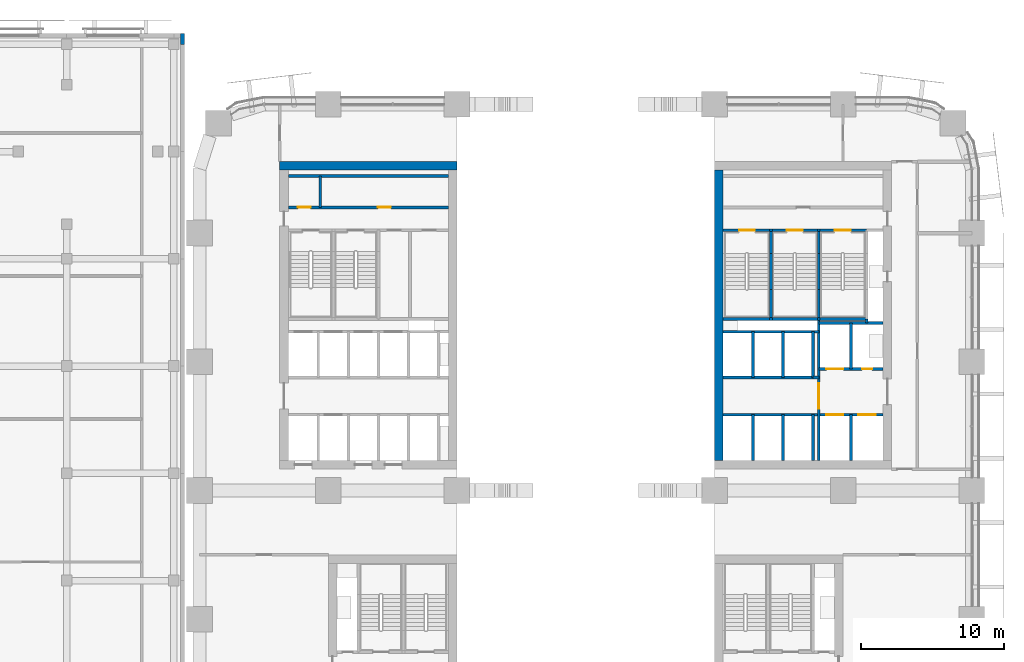
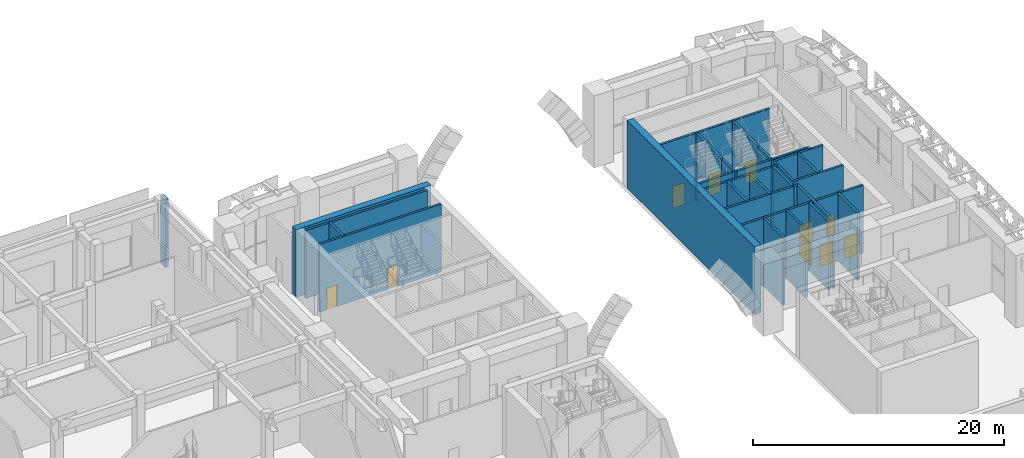
# One storey, part 22 of 42: 38 walls, 10 doors, 10 openings.
"""IFC4 building model written with IfcOpenShell, lengths in metres."""

import ifcopenshell
import ifcopenshell.guid

model = None  # the IFC model being written
_history = None  # IfcOwnerHistory: only IFC2X3 demands one
_inside = {}  # id of a spatial element -> (the spatial element, [elements in it])
_under = {}  # id of a project, library or spatial element -> (it, [spatial elements below it])
_declared = {}  # id of a project -> (the project, [libraries it declares])
_typed = {}  # id of a type object -> (the type object, [elements of that type])
_made_of = {}  # id of a material, layer set ... -> (it, [elements and type objects made of it])


def new_model(schema):
    """Start an empty IFC model of exactly this schema.

    Asked for "IFC4X3", IfcOpenShell would pick the latest addendum, in which some entities
    have other attributes; the version numbers below select the first issue.
    IFC2X3 requires an IfcOwnerHistory on every rooted entity: one is made here for all.
    """
    global model, _history
    if schema == "IFC4X3":
        model = ifcopenshell.file(schema_version=(4, 3, 0, 0))
    else:
        model = ifcopenshell.file(schema=schema)
    _inside.clear()
    _under.clear()
    _declared.clear()
    _typed.clear()
    _made_of.clear()
    _history = None
    if model.schema == "IFC2X3":
        org = make("IfcOrganization", Name="unknown")
        user = make(
            "IfcPersonAndOrganization",
            ThePerson=make("IfcPerson", FamilyName="unknown"),
            TheOrganization=org,
        )
        app = make(
            "IfcApplication",
            ApplicationDeveloper=org,
            Version="unknown",
            ApplicationFullName="unknown",
            ApplicationIdentifier="unknown",
        )
        _history = make(
            "IfcOwnerHistory",
            OwningUser=user,
            OwningApplication=app,
            ChangeAction="ADDED",
            CreationDate=0,
        )
    return model


def make(cls, **values):
    """One entity of the class cls with the attributes given. An attribute that is None is left unset."""
    return model.create_entity(
        cls, **{name: value for name, value in values.items() if value is not None}
    )


def rooted(cls, **values):
    """An entity with a GlobalId (a new one), such as an element, a storey or a relation."""
    return make(cls, GlobalId=ifcopenshell.guid.new(), OwnerHistory=_history, **values)


def si_unit(unit_type, name, prefix=None):
    """IfcSIUnit, for example si_unit("LENGTHUNIT", "METRE", prefix="MILLI")."""
    return make("IfcSIUnit", UnitType=unit_type, Prefix=prefix, Name=name)


def assignment(units):
    """IfcUnitAssignment: the units of a project."""
    return None if units is None else make("IfcUnitAssignment", Units=units)


def point(xyz):
    """IfcCartesianPoint."""
    return None if xyz is None else make("IfcCartesianPoint", Coordinates=xyz)


def direction(xyz):
    """IfcDirection."""
    return None if xyz is None else make("IfcDirection", DirectionRatios=xyz)


def frame(location, z_axis=None, x_axis=None):
    """IfcAxis2Placement3D, a coordinate frame: its origin and axes. An axis left out is left unset."""
    return make(
        "IfcAxis2Placement3D",
        Location=point(location),
        Axis=direction(z_axis),
        RefDirection=direction(x_axis),
    )


def frame_2d(location, x_axis=None):
    """IfcAxis2Placement2D, a coordinate frame in the plane: its origin and x axis."""
    return make(
        "IfcAxis2Placement2D", Location=point(location), RefDirection=direction(x_axis)
    )


def origin():
    """The frame at (0, 0, 0) with its axes left unset."""
    return frame((0.0, 0.0, 0.0))


def place(relative_to, where):
    """IfcLocalPlacement: puts the frame where relative to a parent placement (None: the world)."""
    return make(
        "IfcLocalPlacement", PlacementRelTo=relative_to, RelativePlacement=where
    )


def context(
    kind, dimensions, precision=None, world=None, true_north=None, identifier=None
):
    """IfcGeometricRepresentationContext, for example the 3D "Model" context."""
    return make(
        "IfcGeometricRepresentationContext",
        ContextIdentifier=identifier,
        ContextType=kind,
        CoordinateSpaceDimension=dimensions,
        Precision=precision,
        WorldCoordinateSystem=world,
        TrueNorth=true_north,
    )


def subcontext(parent, identifier, kind, view, scale=None):
    """IfcGeometricRepresentationSubContext, for example "Body" below "Model"."""
    return make(
        "IfcGeometricRepresentationSubContext",
        ContextIdentifier=identifier,
        ContextType=kind,
        ParentContext=parent,
        TargetScale=scale,
        TargetView=view,
    )


def project(units=None, contexts=None):
    """IfcProject with its units and contexts."""
    return rooted(
        "IfcProject",
        Name="project",
        RepresentationContexts=contexts,
        UnitsInContext=assignment(units),
    )


def spatial(cls, under=None, at=None, **own):
    """A site, building, storey or space (cls), placed at a placement, below another one or the project."""
    s = rooted(cls, ObjectPlacement=at, **own)
    if under is not None:
        _under.setdefault(under.id(), (under, []))[1].append(s)
    return s


def profile(cls, at=None, kind="AREA", **sizes):
    """A parametric profile (cls). Its sizes go by their IFC names, for example OverallWidth=200.0."""
    return make(cls, ProfileType=kind, Position=at, **sizes)


def rectangle(**sizes):
    """IfcRectangleProfileDef."""
    return profile("IfcRectangleProfileDef", **sizes)


def extrude(swept, where, along, depth):
    """IfcExtrudedAreaSolid: the profile swept, set in the frame where, extruded along a direction by depth."""
    return make(
        "IfcExtrudedAreaSolid",
        SweptArea=swept,
        Position=where,
        ExtrudedDirection=direction(along),
        Depth=depth,
    )


def shape(context_of_items, identifier, shape_type, items):
    """IfcShapeRepresentation: the items that make up one representation, for example the "Body"."""
    return make(
        "IfcShapeRepresentation",
        ContextOfItems=context_of_items,
        RepresentationIdentifier=identifier,
        RepresentationType=shape_type,
        Items=items,
    )


def material(Name=None, Category=None):
    """IfcMaterial."""
    return make("IfcMaterial", Name=Name, Category=Category)


def layer(
    of_material, thickness, ventilated=None, Name=None, Category=None, Priority=None
):
    """IfcMaterialLayer: one layer of a wall or slab, of a material (None: an air gap)."""
    return make(
        "IfcMaterialLayer",
        Material=of_material,
        LayerThickness=thickness,
        IsVentilated=ventilated,
        Name=Name,
        Category=Category,
        Priority=Priority,
    )


def layer_set(layers, Name=None):
    """IfcMaterialLayerSet."""
    return make("IfcMaterialLayerSet", MaterialLayers=layers, LayerSetName=Name)


def made_of(thing, what):
    """Note that an element or type object is made of a material, layer set ...; save() writes the relation."""
    if what is not None:
        _made_of.setdefault(what.id(), (what, []))[1].append(thing)
    return thing


def type_object(cls, material=None, **own):
    """A type object (cls), such as IfcWallType, which elements share."""
    return made_of(rooted(cls, **own), material)


def element(
    cls,
    number,
    at=None,
    inside=None,
    cuts=None,
    type_object=None,
    material=None,
    context=None,
    identifier="Body",
    shape_type=None,
    held_by="IfcProductDefinitionShape",
    body=None,
    shapes=None,
    **own,
):
    """One element of the class cls, such as IfcWall. Its Tag is "e" and its number.

    at: its placement. inside: the storey or other place that contains it. cuts: it is an
    opening in that element (IfcRelVoidsElement). A single representation is given by context,
    identifier, shape_type and body (its items); several are given by shapes. held_by: the class
    of the entity that holds the representations. save() writes the other relations.
    """
    e = rooted(cls, Tag="e%d" % number, ObjectPlacement=at, **own)
    if body is not None:
        shapes = [shape(context, identifier, shape_type, body)]
    if shapes is not None:
        e.Representation = make(held_by, Representations=shapes)
    if inside is not None:
        _inside.setdefault(inside.id(), (inside, []))[1].append(e)
    if cuts is not None:
        rooted(
            "IfcRelVoidsElement", RelatingBuildingElement=cuts, RelatedOpeningElement=e
        )
    if type_object is not None:
        _typed.setdefault(type_object.id(), (type_object, []))[1].append(e)
    return made_of(e, material)


def fill(opening, filler):
    """IfcRelFillsElement: the door or window that sits in an opening."""
    return rooted(
        "IfcRelFillsElement",
        RelatingOpeningElement=opening,
        RelatedBuildingElement=filler,
    )


def aggregate(whole, parts):
    """IfcRelAggregates: a whole, such as a stair, and the parts it consists of."""
    return rooted("IfcRelAggregates", RelatingObject=whole, RelatedObjects=parts)


def save(model, path):
    """Write the relations noted so far, then the file.

    IfcRelAggregates (storeys below a building ...), IfcRelContainedInSpatialStructure (elements
    in a storey), IfcRelDefinesByType, IfcRelAssociatesMaterial and IfcRelDeclares: one each for
    every whole, place, type object, material and project.
    """
    for whole, parts in _under.values():
        aggregate(whole, parts)
    for where, things in _inside.values():
        rooted(
            "IfcRelContainedInSpatialStructure",
            RelatedElements=things,
            RelatingStructure=where,
        )
    for kind, things in _typed.values():
        rooted("IfcRelDefinesByType", RelatedObjects=things, RelatingType=kind)
    for what, things in _made_of.values():
        rooted("IfcRelAssociatesMaterial", RelatedObjects=things, RelatingMaterial=what)
    for by, libraries in _declared.values():
        rooted("IfcRelDeclares", RelatingContext=by, RelatedDefinitions=libraries)
    model.write(path)


model = new_model("IFC4")

# Units and contexts
model_context = context("Model", 3, precision=1e-05, world=origin(), true_north=direction((0.0, 1.0)))
body_context = subcontext(model_context, "Body", "Model", "MODEL_VIEW")
ifc_project = project(units=[si_unit("LENGTHUNIT", "METRE"), si_unit("AREAUNIT", "SQUARE_METRE"), si_unit("VOLUMEUNIT", "CUBIC_METRE"), si_unit("PLANEANGLEUNIT", "RADIAN"), si_unit("MASSUNIT", "GRAM", prefix="KILO")], contexts=[model_context])

# Site, building, storey
site_placement = place(None, origin())
site = spatial("IfcSite", under=ifc_project, at=site_placement, CompositionType="ELEMENT")
building_placement = place(site_placement, origin())
building = spatial("IfcBuilding", under=site, at=building_placement, Name="Tessera Arch", CompositionType="ELEMENT")
storey_placement = place(building_placement, frame((0.0, 0.0, 14.0)))
storey = spatial("IfcBuildingStorey", under=building, at=storey_placement, Name="L02", CompositionType="ELEMENT", Elevation=14.0)

# Walls
ifc_material_1 = material(Name="Gypsum board on steel stud", Category="steel")
ifc_layer_1 = layer(ifc_material_1, 0.125)
ifc_layer_set_1 = layer_set([ifc_layer_1], Name="Core partition 125 EI 60")
wall_type_1 = type_object("IfcWallType", Name="Core partition 125 EI 60", PredefinedType="PARTITIONING", material=ifc_layer_set_1)
wall_1_placement = place(storey_placement, frame((42.89990234375, 34.89990234375, 0.0), z_axis=(0.0, 0.0, 1.0), x_axis=(1.0, 0.0, 0.0)))
element("IfcWall", 1, at=wall_1_placement, inside=storey, type_object=wall_type_1, Name="L02 C1 partition wall 21", PredefinedType="PARTITIONING", context=body_context, shape_type="SweptSolid", body=[
    extrude(rectangle(XDim=0.400146484375, YDim=0.199951171875, at=frame_2d((0.2001953125, 0.0))), origin(), (0.0, 0.0, 1.0), 6.590087890625),
])
wall_2_placement = place(storey_placement, frame((8.43994140625, 46.800048828125, 0.0), z_axis=(0.0, 0.0, 1.0), x_axis=(0.0, 1.0, 0.0)))
element("IfcWall", 2, at=wall_2_placement, inside=storey, type_object=wall_type_1, Name="L02 C2 partition wall 3", PredefinedType="PARTITIONING", context=body_context, shape_type="SweptSolid", body=[
    extrude(rectangle(XDim=2.199951171875, YDim=0.199951171875, at=frame_2d((1.10009765625, 0.0))), origin(), (0.0, 0.0, 1.0), 6.590087890625),
])

# Wall, openings, doors
wall_3_placement = place(storey_placement, frame((6.199951171875, 46.800048828125, 0.0), z_axis=(0.0, 0.0, 1.0), x_axis=(1.0, 0.0, 0.0)))
wall_3 = element("IfcWall", 3, at=wall_3_placement, inside=storey, type_object=wall_type_1, Name="L02 C2 partition wall 30", PredefinedType="PARTITIONING", context=body_context, shape_type="SweptSolid", body=[
    extrude(rectangle(XDim=11.199951171875, YDim=0.199951171875, at=frame_2d((5.60009765625, 0.0))), origin(), (0.0, 0.0, 1.0), 6.590087890625),
])
opening_1_placement = place(wall_3_placement, frame((0.669921875, 0.0, 0.0)))
opening_1 = element("IfcOpeningElement", 4, at=opening_1_placement, cuts=wall_3, Name="Opening L02-C25", PredefinedType="OPENING", context=body_context, shape_type="SweptSolid", body=[
    extrude(rectangle(XDim=0.89990234375, YDim=2.10009765625, at=frame_2d((0.449951171875, 1.050048828125))), frame((0.0, 0.10986328125, 0.0), z_axis=(0.0, -1.0, 0.0), x_axis=(1.0, 0.0, 0.0)), (0.0, 0.0, 1.0), 0.219970703125),
])
opening_2_placement = place(wall_3_placement, frame((6.27001953125, 0.0, 0.0)))
opening_2 = element("IfcOpeningElement", 5, at=opening_2_placement, cuts=wall_3, Name="Opening L02-C26", PredefinedType="OPENING", context=body_context, shape_type="SweptSolid", body=[
    extrude(rectangle(XDim=0.89990234375, YDim=2.10009765625, at=frame_2d((0.449951171875, 1.050048828125))), frame((0.0, 0.10986328125, 0.0), z_axis=(0.0, -1.0, 0.0), x_axis=(1.0, 0.0, 0.0)), (0.0, 0.0, 1.0), 0.219970703125),
])
ifc_material_2 = material(Name="Steel door leaf", Category="steel")
door_type_1 = type_object("IfcDoorType", Name="Store door FD30S 900 x 2100", OperationType="SINGLE_SWING_LEFT", PredefinedType="DOOR", material=ifc_material_2)
door_1_placement = place(opening_1_placement, origin())
door_1 = element("IfcDoor", 6, at=door_1_placement, inside=storey, type_object=door_type_1, Name="L02 C2 door 13 C25 type D09", OperationType="SINGLE_SWING_LEFT", OverallHeight=2.10009765625, OverallWidth=0.89990234375, PredefinedType="DOOR", context=body_context, shape_type="SweptSolid", body=[
    extrude(rectangle(XDim=0.89990234375, YDim=2.10009765625, at=frame_2d((0.449951171875, 1.050048828125))), frame((0.0, 0.02490234375, 0.0), z_axis=(0.0, -1.0, 0.0), x_axis=(1.0, 0.0, 0.0)), (0.0, 0.0, 1.0), 0.050048828125),
])
fill(opening_1, door_1)
door_2_placement = place(opening_2_placement, origin())
door_2 = element("IfcDoor", 7, at=door_2_placement, inside=storey, type_object=door_type_1, Name="L02 C2 door 14 C26 type D09", OperationType="SINGLE_SWING_RIGHT", OverallHeight=2.10009765625, OverallWidth=0.89990234375, PredefinedType="DOOR", context=body_context, shape_type="SweptSolid", body=[
    extrude(rectangle(XDim=0.89990234375, YDim=2.10009765625, at=frame_2d((0.449951171875, 1.050048828125))), frame((0.0, 0.02490234375, 0.0), z_axis=(0.0, -1.0, 0.0), x_axis=(1.0, 0.0, 0.0)), (0.0, 0.0, 1.0), 0.050048828125),
])
fill(opening_2, door_2)

# Walls
wall_4_placement = place(storey_placement, frame((6.199951171875, 49.0, 0.0), z_axis=(0.0, 0.0, 1.0), x_axis=(1.0, 0.0, 0.0)))
element("IfcWall", 8, at=wall_4_placement, inside=storey, type_object=wall_type_1, Name="L02 C2 partition wall 31", PredefinedType="PARTITIONING", context=body_context, shape_type="SweptSolid", body=[
    extrude(rectangle(XDim=11.199951171875, YDim=0.199951171875, at=frame_2d((5.60009765625, 0.0))), origin(), (0.0, 0.0, 1.0), 6.590087890625),
])
ifc_material_3 = material(Name="Concrete C70/85", Category="concrete")
ifc_layer_2 = layer(ifc_material_3, 0.60009765625)
ifc_layer_set_2 = layer_set([ifc_layer_2], Name="Core shell wall 600 C70-85")
wall_type_2 = type_object("IfcWallType", Name="Core shell wall 600 C70-85", PredefinedType="SHEAR", material=ifc_layer_set_2)
wall_5_placement = place(storey_placement, frame((36.300048828125, 29.10009765625, 0.0), z_axis=(0.0, 0.0, 1.0), x_axis=(0.0, 1.0, 0.0)))
element("IfcWall", 9, at=wall_5_placement, inside=storey, type_object=wall_type_2, Name="L02 C1 core wall W", PredefinedType="SHEAR", context=body_context, shape_type="SweptSolid", body=[
    extrude(rectangle(XDim=20.2998046875, YDim=0.60009765625, at=frame_2d((10.14990234375, 0.0))), origin(), (0.0, 0.0, 1.0), 6.590087890625),
])
wall_6_placement = place(storey_placement, frame((5.60009765625, 49.699951171875, 0.0), z_axis=(0.0, 0.0, 1.0), x_axis=(1.0, 0.0, 0.0)))
element("IfcWall", 10, at=wall_6_placement, inside=storey, type_object=wall_type_2, Name="L02 C2 core wall N", PredefinedType="SHEAR", context=body_context, shape_type="SweptSolid", body=[
    extrude(rectangle(XDim=12.39990234375, YDim=0.60009765625, at=frame_2d((6.199951171875, 0.0))), origin(), (0.0, 0.0, 1.0), 6.590087890625),
])
ifc_material_4 = material(Name="Concrete C40/50", Category="concrete")
ifc_layer_3 = layer(ifc_material_4, 0.300048828125)
ifc_layer_set_3 = layer_set([ifc_layer_3], Name="Museum fire wall")
wall_type_3 = type_object("IfcWallType", Name="Museum fire wall", PredefinedType="SOLIDWALL", material=ifc_layer_set_3)
wall_7_placement = place(storey_placement, frame((-1.199951171875, 58.199951171875, 0.0), z_axis=(0.0, 0.0, 1.0), x_axis=(0.0, 1.0, 0.0)))
element("IfcWall", 11, at=wall_7_placement, inside=storey, type_object=wall_type_3, Name="Museum fire wall at the movement joint", PredefinedType="SOLIDWALL", context=body_context, shape_type="SweptSolid", body=[
    extrude(rectangle(XDim=0.75, YDim=0.300048828125, at=frame_2d((0.375, 0.0))), origin(), (0.0, 0.0, 1.0), 6.590087890625),
])
ifc_material_5 = material(Name="Concrete C40/50", Category="concrete")
ifc_layer_4 = layer(ifc_material_5, 0.199951171875)
ifc_layer_set_4 = layer_set([ifc_layer_4], Name="Shaft wall 200 EI 120")
wall_type_4 = type_object("IfcWallType", Name="Shaft wall 200 EI 120", PredefinedType="SOLIDWALL", material=ifc_layer_set_4)
wall_8_placement = place(storey_placement, frame((38.699951171875, 29.10009765625, 0.0), z_axis=(0.0, 0.0, 1.0), x_axis=(0.0, 1.0, 0.0)))
element("IfcWall", 12, at=wall_8_placement, inside=storey, type_object=wall_type_4, Name="L02 C1 shaft wall 1", PredefinedType="SOLIDWALL", context=body_context, shape_type="SweptSolid", body=[
    extrude(rectangle(XDim=3.199951171875, YDim=0.199951171875, at=frame_2d((1.60009765625, 0.0))), origin(), (0.0, 0.0, 1.0), 6.590087890625),
])
wall_9_placement = place(storey_placement, frame((38.699951171875, 34.89990234375, 0.0), z_axis=(0.0, 0.0, 1.0), x_axis=(0.0, 1.0, 0.0)))
element("IfcWall", 13, at=wall_9_placement, inside=storey, type_object=wall_type_4, Name="L02 C1 shaft wall 2", PredefinedType="SOLIDWALL", context=body_context, shape_type="SweptSolid", body=[
    extrude(rectangle(XDim=3.2001953125, YDim=0.199951171875, at=frame_2d((1.60009765625, 0.0))), origin(), (0.0, 0.0, 1.0), 6.590087890625),
])
wall_10_placement = place(storey_placement, frame((40.800048828125, 29.10009765625, 0.0), z_axis=(0.0, 0.0, 1.0), x_axis=(0.0, 1.0, 0.0)))
element("IfcWall", 14, at=wall_10_placement, inside=storey, type_object=wall_type_4, Name="L02 C1 shaft wall 6", PredefinedType="SOLIDWALL", context=body_context, shape_type="SweptSolid", body=[
    extrude(rectangle(XDim=3.199951171875, YDim=0.199951171875, at=frame_2d((1.60009765625, 0.0))), origin(), (0.0, 0.0, 1.0), 6.590087890625),
])
wall_11_placement = place(storey_placement, frame((40.800048828125, 34.89990234375, 0.0), z_axis=(0.0, 0.0, 1.0), x_axis=(0.0, 1.0, 0.0)))
element("IfcWall", 15, at=wall_11_placement, inside=storey, type_object=wall_type_4, Name="L02 C1 shaft wall 7", PredefinedType="SOLIDWALL", context=body_context, shape_type="SweptSolid", body=[
    extrude(rectangle(XDim=3.2001953125, YDim=0.199951171875, at=frame_2d((1.60009765625, 0.0))), origin(), (0.0, 0.0, 1.0), 6.590087890625),
])
wall_12_placement = place(storey_placement, frame((42.89990234375, 29.10009765625, 0.0), z_axis=(0.0, 0.0, 1.0), x_axis=(0.0, 1.0, 0.0)))
element("IfcWall", 16, at=wall_12_placement, inside=storey, type_object=wall_type_4, Name="L02 C1 shaft wall 8", PredefinedType="SOLIDWALL", context=body_context, shape_type="SweptSolid", body=[
    extrude(rectangle(XDim=3.199951171875, YDim=0.199951171875, at=frame_2d((1.60009765625, 0.0))), origin(), (0.0, 0.0, 1.0), 6.590087890625),
])
wall_13_placement = place(storey_placement, frame((42.89990234375, 34.89990234375, 0.0), z_axis=(0.0, 0.0, 1.0), x_axis=(0.0, 1.0, 0.0)))
element("IfcWall", 17, at=wall_13_placement, inside=storey, type_object=wall_type_4, Name="L02 C1 shaft wall 9", PredefinedType="SOLIDWALL", context=body_context, shape_type="SweptSolid", body=[
    extrude(rectangle(XDim=3.2001953125, YDim=0.199951171875, at=frame_2d((1.60009765625, 0.0))), origin(), (0.0, 0.0, 1.0), 6.590087890625),
])

# Wall, opening, door
wall_14_placement = place(storey_placement, frame((43.300048828125, 29.10009765625, 0.0), z_axis=(0.0, 0.0, 1.0), x_axis=(0.0, 1.0, 0.0)))
wall_14 = element("IfcWall", 18, at=wall_14_placement, inside=storey, type_object=wall_type_4, Name="L02 C1 shaft wall 10", PredefinedType="SOLIDWALL", context=body_context, shape_type="SweptSolid", body=[
    extrude(rectangle(XDim=9.89990234375, YDim=0.199951171875, at=frame_2d((4.949951171875, 0.0))), origin(), (0.0, 0.0, 1.0), 6.590087890625),
])
opening_3_placement = place(wall_14_placement, frame((3.60009765625, 0.0, 0.0)))
opening_3 = element("IfcOpeningElement", 19, at=opening_3_placement, cuts=wall_14, Name="Opening L02-C04", PredefinedType="OPENING", context=body_context, shape_type="SweptSolid", body=[
    extrude(rectangle(XDim=1.800048828125, YDim=2.10009765625, at=frame_2d((0.89990234375, 1.050048828125))), frame((0.0, 0.10986328125, 0.0), z_axis=(0.0, -1.0, 0.0), x_axis=(1.0, 0.0, 0.0)), (0.0, 0.0, 1.0), 0.219970703125),
])
ifc_material_6 = material(Name="Glazed steel door leaf", Category="steel")
door_type_2 = type_object("IfcDoorType", Name="Lobby double door FD60 1800 x 2100", OperationType="DOUBLE_DOOR_SINGLE_SWING", PredefinedType="DOOR", material=ifc_material_6)
door_3_placement = place(opening_3_placement, origin())
door_3 = element("IfcDoor", 20, at=door_3_placement, inside=storey, type_object=door_type_2, Name="L02 C1 door 4 C04 type D19", OperationType="DOUBLE_DOOR_SINGLE_SWING", OverallHeight=2.10009765625, OverallWidth=1.800048828125, PredefinedType="DOOR", context=body_context, shape_type="SweptSolid", body=[
    extrude(rectangle(XDim=1.800048828125, YDim=2.10009765625, at=frame_2d((0.89990234375, 1.050048828125))), frame((0.0, 0.02490234375, 0.0), z_axis=(0.0, -1.0, 0.0), x_axis=(1.0, 0.0, 0.0)), (0.0, 0.0, 1.0), 0.050048828125),
])
fill(opening_3, door_3)

# Walls
for number, where, z_axis, x_axis, name in (
    (21, (45.550048828125, 29.10009765625, 0.0), (0.0, 0.0, 1.0), (0.0, 1.0, 0.0), "L02 C1 shaft wall 14"),
    (22, (45.550048828125, 35.5, 0.0), (0.0, 0.0, 1.0), (0.0, 1.0, 0.0), "L02 C1 shaft wall 15"),
):
    element("IfcWall", number, at=place(storey_placement, frame(where, z_axis=z_axis, x_axis=x_axis)), inside=storey, type_object=wall_type_4, Name=name, PredefinedType="SOLIDWALL", context=body_context, shape_type="SweptSolid", body=[
        extrude(rectangle(XDim=3.199951171875, YDim=0.199951171875, at=frame_2d((1.60009765625, 0.0))), origin(), (0.0, 0.0, 1.0), 6.590087890625),
    ])
wall_15_placement = place(storey_placement, frame((46.64990234375, 38.699951171875, 0.0), z_axis=(0.0, 0.0, 1.0), x_axis=(0.0, 1.0, 0.0)))
element("IfcWall", 23, at=wall_15_placement, inside=storey, type_object=wall_type_4, Name="L02 C1 shaft wall 16", PredefinedType="SOLIDWALL", context=body_context, shape_type="SweptSolid", body=[
    extrude(rectangle(XDim=0.300048828125, YDim=0.199951171875, at=frame_2d((0.14990234375, 0.0))), origin(), (0.0, 0.0, 1.0), 6.590087890625),
])

# Wall, openings, doors
wall_16_placement = place(storey_placement, frame((36.60009765625, 32.300048828125, 0.0), z_axis=(0.0, 0.0, 1.0), x_axis=(1.0, 0.0, 0.0)))
wall_16 = element("IfcWall", 24, at=wall_16_placement, inside=storey, type_object=wall_type_4, Name="L02 C1 shaft wall 20", PredefinedType="SOLIDWALL", context=body_context, shape_type="SweptSolid", body=[
    extrude(rectangle(XDim=11.199951171875, YDim=0.199951171875, at=frame_2d((5.60009765625, 0.0))), origin(), (0.0, 0.0, 1.0), 6.590087890625),
])
opening_4_placement = place(wall_16_placement, frame((7.22509765625, 0.0, 0.0)))
opening_4 = element("IfcOpeningElement", 25, at=opening_4_placement, cuts=wall_16, Name="Opening L02-C01", PredefinedType="OPENING", context=body_context, shape_type="SweptSolid", body=[
    extrude(rectangle(XDim=1.199951171875, YDim=2.10009765625, at=frame_2d((0.60009765625, 1.050048828125))), frame((0.0, 0.10986328125, 0.0), z_axis=(0.0, -1.0, 0.0), x_axis=(1.0, 0.0, 0.0)), (0.0, 0.0, 1.0), 0.219970703125),
])
opening_5_placement = place(wall_16_placement, frame((9.47509765625, 0.0, 0.0)))
opening_5 = element("IfcOpeningElement", 26, at=opening_5_placement, cuts=wall_16, Name="Opening L02-C02", PredefinedType="OPENING", context=body_context, shape_type="SweptSolid", body=[
    extrude(rectangle(XDim=1.199951171875, YDim=2.10009765625, at=frame_2d((0.60009765625, 1.050048828125))), frame((0.0, 0.10986328125, 0.0), z_axis=(0.0, -1.0, 0.0), x_axis=(1.0, 0.0, 0.0)), (0.0, 0.0, 1.0), 0.219970703125),
])
ifc_material_7 = material(Name="Stainless steel AISI 304", Category="steel")
door_type_3 = type_object("IfcDoorType", Name="Sliding landing door 1200 x 2100", OperationType="SLIDING_TO_LEFT", PredefinedType="DOOR", material=ifc_material_7)
door_4_placement = place(opening_4_placement, origin())
door_4 = element("IfcDoor", 27, at=door_4_placement, inside=storey, type_object=door_type_3, Name="L02 FF1 lift landing door C01 type LD", OperationType="SLIDING_TO_LEFT", OverallHeight=2.10009765625, OverallWidth=1.199951171875, PredefinedType="DOOR", context=body_context, shape_type="SweptSolid", body=[
    extrude(rectangle(XDim=1.199951171875, YDim=2.10009765625, at=frame_2d((0.60009765625, 1.050048828125))), frame((0.0, 0.02490234375, 0.0), z_axis=(0.0, -1.0, 0.0), x_axis=(1.0, 0.0, 0.0)), (0.0, 0.0, 1.0), 0.050048828125),
])
fill(opening_4, door_4)
door_5_placement = place(opening_5_placement, origin())
door_5 = element("IfcDoor", 28, at=door_5_placement, inside=storey, type_object=door_type_3, Name="L02 FF2 lift landing door C02 type LD", OperationType="SLIDING_TO_LEFT", OverallHeight=2.10009765625, OverallWidth=1.199951171875, PredefinedType="DOOR", context=body_context, shape_type="SweptSolid", body=[
    extrude(rectangle(XDim=1.199951171875, YDim=2.10009765625, at=frame_2d((0.60009765625, 1.050048828125))), frame((0.0, 0.02490234375, 0.0), z_axis=(0.0, -1.0, 0.0), x_axis=(1.0, 0.0, 0.0)), (0.0, 0.0, 1.0), 0.050048828125),
])
fill(opening_5, door_5)

# Wall
wall_17_placement = place(storey_placement, frame((36.60009765625, 34.89990234375, 0.0), z_axis=(0.0, 0.0, 1.0), x_axis=(1.0, 0.0, 0.0)))
element("IfcWall", 29, at=wall_17_placement, inside=storey, type_object=wall_type_4, Name="L02 C1 shaft wall 22", PredefinedType="SOLIDWALL", context=body_context, shape_type="SweptSolid", body=[
    extrude(rectangle(XDim=6.2998046875, YDim=0.199951171875, at=frame_2d((3.14990234375, 0.0))), origin(), (0.0, 0.0, 1.0), 6.590087890625),
])

# Wall, openings, doors
wall_18_placement = place(storey_placement, frame((43.300048828125, 35.5, 0.0), z_axis=(0.0, 0.0, 1.0), x_axis=(1.0, 0.0, 0.0)))
wall_18 = element("IfcWall", 30, at=wall_18_placement, inside=storey, type_object=wall_type_4, Name="L02 C1 shaft wall 23", PredefinedType="SOLIDWALL", context=body_context, shape_type="SweptSolid", body=[
    extrude(rectangle(XDim=4.5, YDim=0.199951171875, at=frame_2d((2.25, 0.0))), origin(), (0.0, 0.0, 1.0), 6.590087890625),
])
opening_6_placement = place(wall_18_placement, frame((0.52490234375, 0.0, 0.0)))
opening_6 = element("IfcOpeningElement", 31, at=opening_6_placement, cuts=wall_18, Name="Opening L02-C03", PredefinedType="OPENING", context=body_context, shape_type="SweptSolid", body=[
    extrude(rectangle(XDim=1.199951171875, YDim=2.10009765625, at=frame_2d((0.60009765625, 1.050048828125))), frame((0.0, 0.10986328125, 0.0), z_axis=(0.0, -1.0, 0.0), x_axis=(1.0, 0.0, 0.0)), (0.0, 0.0, 1.0), 0.219970703125),
])
opening_7_placement = place(wall_18_placement, frame((3.02490234375, 0.0, 0.0)))
opening_7 = element("IfcOpeningElement", 32, at=opening_7_placement, cuts=wall_18, Name="Opening L02-C10", PredefinedType="OPENING", context=body_context, shape_type="SweptSolid", body=[
    extrude(rectangle(XDim=0.699951171875, YDim=2.10009765625, at=frame_2d((0.35009765625, 1.050048828125))), frame((0.0, 0.10986328125, 0.0), z_axis=(0.0, -1.0, 0.0), x_axis=(1.0, 0.0, 0.0)), (0.0, 0.0, 1.0), 0.219970703125),
])
ifc_material_8 = material(Name="Steel door leaf", Category="steel")
door_type_4 = type_object("IfcDoorType", Name="Service shaft door FD60 700 x 2100", OperationType="SINGLE_SWING_LEFT", PredefinedType="DOOR", material=ifc_material_8)
door_6_placement = place(opening_7_placement, origin())
door_6 = element("IfcDoor", 33, at=door_6_placement, inside=storey, type_object=door_type_4, Name="L02 C1 door 10 C10 type D07", OperationType="SINGLE_SWING_RIGHT", OverallHeight=2.10009765625, OverallWidth=0.699951171875, PredefinedType="DOOR", context=body_context, shape_type="SweptSolid", body=[
    extrude(rectangle(XDim=0.699951171875, YDim=2.10009765625, at=frame_2d((0.35009765625, 1.050048828125))), frame((0.0, 0.02490234375, 0.0), z_axis=(0.0, -1.0, 0.0), x_axis=(1.0, 0.0, 0.0)), (0.0, 0.0, 1.0), 0.050048828125),
])
fill(opening_7, door_6)
door_7_placement = place(opening_6_placement, origin())
door_7 = element("IfcDoor", 34, at=door_7_placement, inside=storey, type_object=door_type_3, Name="L02 SV2 lift landing door C03 type LD", OperationType="SLIDING_TO_LEFT", OverallHeight=2.10009765625, OverallWidth=1.199951171875, PredefinedType="DOOR", context=body_context, shape_type="SweptSolid", body=[
    extrude(rectangle(XDim=1.199951171875, YDim=2.10009765625, at=frame_2d((0.60009765625, 1.050048828125))), frame((0.0, 0.02490234375, 0.0), z_axis=(0.0, -1.0, 0.0), x_axis=(1.0, 0.0, 0.0)), (0.0, 0.0, 1.0), 0.050048828125),
])
fill(opening_6, door_7)

# Walls
wall_19_placement = place(storey_placement, frame((36.60009765625, 38.10009765625, 0.0), z_axis=(0.0, 0.0, 1.0), x_axis=(1.0, 0.0, 0.0)))
element("IfcWall", 35, at=wall_19_placement, inside=storey, type_object=wall_type_4, Name="L02 C1 shaft wall 24", PredefinedType="SOLIDWALL", context=body_context, shape_type="SweptSolid", body=[
    extrude(rectangle(XDim=6.699951171875, YDim=0.199951171875, at=frame_2d((3.35009765625, 0.0))), origin(), (0.0, 0.0, 1.0), 6.590087890625),
])
wall_20_placement = place(storey_placement, frame((43.300048828125, 38.699951171875, 0.0), z_axis=(0.0, 0.0, 1.0), x_axis=(1.0, 0.0, 0.0)))
element("IfcWall", 36, at=wall_20_placement, inside=storey, type_object=wall_type_4, Name="L02 C1 shaft wall 25", PredefinedType="SOLIDWALL", context=body_context, shape_type="SweptSolid", body=[
    extrude(rectangle(XDim=4.5, YDim=0.199951171875, at=frame_2d((2.25, 0.0))), origin(), (0.0, 0.0, 1.0), 6.590087890625),
])
ifc_material_9 = material(Name="Concrete C40/50", Category="concrete")
ifc_layer_5 = layer(ifc_material_9, 0.199951171875)
ifc_layer_set_5 = layer_set([ifc_layer_5], Name="Stair well wall 200 REI 180")
wall_type_5 = type_object("IfcWallType", Name="Stair well wall 200 REI 180", PredefinedType="SOLIDWALL", material=ifc_layer_set_5)
wall_21_placement = place(storey_placement, frame((39.949951171875, 39.0, 0.0), z_axis=(0.0, 0.0, 1.0), x_axis=(0.0, 1.0, 0.0)))
element("IfcWall", 37, at=wall_21_placement, inside=storey, type_object=wall_type_5, Name="L02 C1 shaft wall 3", PredefinedType="SOLIDWALL", context=body_context, shape_type="SweptSolid", body=[
    extrude(rectangle(XDim=2.06005859375, YDim=0.199951171875, at=frame_2d((1.030029296875, 0.0))), origin(), (0.0, 0.0, 1.0), 6.590087890625),
])
wall_22_placement = place(storey_placement, frame((39.949951171875, 41.06005859375, 0.0), z_axis=(0.0, 0.0, 1.0), x_axis=(0.0, 1.0, 0.0)))
element("IfcWall", 38, at=wall_22_placement, inside=storey, type_object=wall_type_5, Name="L02 C1 shaft wall 4", PredefinedType="SOLIDWALL", context=body_context, shape_type="SweptSolid", body=[
    extrude(rectangle(XDim=2.52001953125, YDim=0.199951171875, at=frame_2d((1.260009765625, 0.0))), origin(), (0.0, 0.0, 1.0), 6.590087890625),
])
wall_23_placement = place(storey_placement, frame((39.949951171875, 43.580078125, 0.0), z_axis=(0.0, 0.0, 1.0), x_axis=(0.0, 1.0, 0.0)))
element("IfcWall", 39, at=wall_23_placement, inside=storey, type_object=wall_type_5, Name="L02 C1 shaft wall 5", PredefinedType="SOLIDWALL", context=body_context, shape_type="SweptSolid", body=[
    extrude(rectangle(XDim=1.619873046875, YDim=0.199951171875, at=frame_2d((0.81005859375, 0.0))), origin(), (0.0, 0.0, 1.0), 6.590087890625),
])
wall_24_placement = place(storey_placement, frame((43.300048828125, 39.0, 0.0), z_axis=(0.0, 0.0, 1.0), x_axis=(0.0, 1.0, 0.0)))
element("IfcWall", 40, at=wall_24_placement, inside=storey, type_object=wall_type_5, Name="L02 C1 shaft wall 11", PredefinedType="SOLIDWALL", context=body_context, shape_type="SweptSolid", body=[
    extrude(rectangle(XDim=2.06005859375, YDim=0.199951171875, at=frame_2d((1.030029296875, 0.0))), origin(), (0.0, 0.0, 1.0), 6.590087890625),
])
wall_25_placement = place(storey_placement, frame((43.300048828125, 41.06005859375, 0.0), z_axis=(0.0, 0.0, 1.0), x_axis=(0.0, 1.0, 0.0)))
element("IfcWall", 41, at=wall_25_placement, inside=storey, type_object=wall_type_5, Name="L02 C1 shaft wall 12", PredefinedType="SOLIDWALL", context=body_context, shape_type="SweptSolid", body=[
    extrude(rectangle(XDim=2.52001953125, YDim=0.199951171875, at=frame_2d((1.260009765625, 0.0))), origin(), (0.0, 0.0, 1.0), 6.590087890625),
])
wall_26_placement = place(storey_placement, frame((43.300048828125, 43.580078125, 0.0), z_axis=(0.0, 0.0, 1.0), x_axis=(0.0, 1.0, 0.0)))
element("IfcWall", 42, at=wall_26_placement, inside=storey, type_object=wall_type_5, Name="L02 C1 shaft wall 13", PredefinedType="SOLIDWALL", context=body_context, shape_type="SweptSolid", body=[
    extrude(rectangle(XDim=1.619873046875, YDim=0.199951171875, at=frame_2d((0.81005859375, 0.0))), origin(), (0.0, 0.0, 1.0), 6.590087890625),
])
wall_27_placement = place(storey_placement, frame((36.60009765625, 39.0, 0.0), z_axis=(0.0, 0.0, 1.0), x_axis=(1.0, 0.0, 0.0)))
element("IfcWall", 43, at=wall_27_placement, inside=storey, type_object=wall_type_5, Name="L02 C1 shaft wall 26", PredefinedType="SOLIDWALL", context=body_context, shape_type="SweptSolid", body=[
    extrude(rectangle(XDim=3.25, YDim=0.199951171875, at=frame_2d((1.625, 0.0))), origin(), (0.0, 0.0, 1.0), 6.590087890625),
])
wall_28_placement = place(storey_placement, frame((39.85009765625, 39.0, 0.0), z_axis=(0.0, 0.0, 1.0), x_axis=(1.0, 0.0, 0.0)))
element("IfcWall", 44, at=wall_28_placement, inside=storey, type_object=wall_type_5, Name="L02 C1 shaft wall 27", PredefinedType="SOLIDWALL", context=body_context, shape_type="SweptSolid", body=[
    extrude(rectangle(XDim=0.199951171875, YDim=0.199951171875, at=frame_2d((0.10009765625, 0.0))), origin(), (0.0, 0.0, 1.0), 6.590087890625),
])
wall_29_placement = place(storey_placement, frame((40.050048828125, 39.0, 0.0), z_axis=(0.0, 0.0, 1.0), x_axis=(1.0, 0.0, 0.0)))
element("IfcWall", 45, at=wall_29_placement, inside=storey, type_object=wall_type_5, Name="L02 C1 shaft wall 28", PredefinedType="SOLIDWALL", context=body_context, shape_type="SweptSolid", body=[
    extrude(rectangle(XDim=3.14990234375, YDim=0.199951171875, at=frame_2d((1.574951171875, 0.0))), origin(), (0.0, 0.0, 1.0), 6.590087890625),
])
wall_30_placement = place(storey_placement, frame((43.199951171875, 39.0, 0.0), z_axis=(0.0, 0.0, 1.0), x_axis=(1.0, 0.0, 0.0)))
element("IfcWall", 46, at=wall_30_placement, inside=storey, type_object=wall_type_5, Name="L02 C1 shaft wall 29", PredefinedType="SOLIDWALL", context=body_context, shape_type="SweptSolid", body=[
    extrude(rectangle(XDim=0.199951171875, YDim=0.199951171875, at=frame_2d((0.10009765625, 0.0))), origin(), (0.0, 0.0, 1.0), 6.590087890625),
])
wall_31_placement = place(storey_placement, frame((43.39990234375, 39.0, 0.0), z_axis=(0.0, 0.0, 1.0), x_axis=(1.0, 0.0, 0.0)))
element("IfcWall", 47, at=wall_31_placement, inside=storey, type_object=wall_type_5, Name="L02 C1 shaft wall 30", PredefinedType="SOLIDWALL", context=body_context, shape_type="SweptSolid", body=[
    extrude(rectangle(XDim=3.25, YDim=0.199951171875, at=frame_2d((1.625, 0.0))), origin(), (0.0, 0.0, 1.0), 6.590087890625),
])

# Wall, opening, door
wall_32_placement = place(storey_placement, frame((36.60009765625, 45.199951171875, 0.0), z_axis=(0.0, 0.0, 1.0), x_axis=(1.0, 0.0, 0.0)))
wall_32 = element("IfcWall", 48, at=wall_32_placement, inside=storey, type_object=wall_type_5, Name="L02 C1 shaft wall 32", PredefinedType="SOLIDWALL", context=body_context, shape_type="SweptSolid", body=[
    extrude(rectangle(XDim=3.25, YDim=0.199951171875, at=frame_2d((1.625, 0.0))), origin(), (0.0, 0.0, 1.0), 6.590087890625),
])
opening_8_placement = place(wall_32_placement, frame((1.125, 0.0, 0.0)))
opening_8 = element("IfcOpeningElement", 49, at=opening_8_placement, cuts=wall_32, Name="Opening L02-C05", PredefinedType="OPENING", context=body_context, shape_type="SweptSolid", body=[
    extrude(rectangle(XDim=1.10009765625, YDim=2.10009765625, at=frame_2d((0.550048828125, 1.050048828125))), frame((0.0, 0.10986328125, 0.0), z_axis=(0.0, -1.0, 0.0), x_axis=(1.0, 0.0, 0.0)), (0.0, 0.0, 1.0), 0.219970703125),
])
ifc_material_10 = material(Name="Steel door leaf", Category="steel")
door_type_5 = type_object("IfcDoorType", Name="Stair door FD60 1100 x 2100", OperationType="SINGLE_SWING_LEFT", PredefinedType="DOOR", material=ifc_material_10)
door_8_placement = place(opening_8_placement, origin())
door_8 = element("IfcDoor", 50, at=door_8_placement, inside=storey, type_object=door_type_5, Name="L02 C1 door 5 C05 type D05", OperationType="SINGLE_SWING_RIGHT", OverallHeight=2.10009765625, OverallWidth=1.10009765625, PredefinedType="DOOR", context=body_context, shape_type="SweptSolid", body=[
    extrude(rectangle(XDim=1.10009765625, YDim=2.10009765625, at=frame_2d((0.550048828125, 1.050048828125))), frame((0.0, 0.02490234375, 0.0), z_axis=(0.0, -1.0, 0.0), x_axis=(1.0, 0.0, 0.0)), (0.0, 0.0, 1.0), 0.050048828125),
])
fill(opening_8, door_8)

# Wall
wall_33_placement = place(storey_placement, frame((39.85009765625, 45.199951171875, 0.0), z_axis=(0.0, 0.0, 1.0), x_axis=(1.0, 0.0, 0.0)))
element("IfcWall", 51, at=wall_33_placement, inside=storey, type_object=wall_type_5, Name="L02 C1 shaft wall 33", PredefinedType="SOLIDWALL", context=body_context, shape_type="SweptSolid", body=[
    extrude(rectangle(XDim=0.199951171875, YDim=0.199951171875, at=frame_2d((0.10009765625, 0.0))), origin(), (0.0, 0.0, 1.0), 6.590087890625),
])

# Wall, opening, door
wall_34_placement = place(storey_placement, frame((40.050048828125, 45.199951171875, 0.0), z_axis=(0.0, 0.0, 1.0), x_axis=(1.0, 0.0, 0.0)))
wall_34 = element("IfcWall", 52, at=wall_34_placement, inside=storey, type_object=wall_type_5, Name="L02 C1 shaft wall 34", PredefinedType="SOLIDWALL", context=body_context, shape_type="SweptSolid", body=[
    extrude(rectangle(XDim=3.14990234375, YDim=0.199951171875, at=frame_2d((1.574951171875, 0.0))), origin(), (0.0, 0.0, 1.0), 6.590087890625),
])
opening_9_placement = place(wall_34_placement, frame((1.02490234375, 0.0, 0.0)))
opening_9 = element("IfcOpeningElement", 53, at=opening_9_placement, cuts=wall_34, Name="Opening L02-C06", PredefinedType="OPENING", context=body_context, shape_type="SweptSolid", body=[
    extrude(rectangle(XDim=1.10009765625, YDim=2.10009765625, at=frame_2d((0.550048828125, 1.050048828125))), frame((0.0, 0.10986328125, 0.0), z_axis=(0.0, -1.0, 0.0), x_axis=(1.0, 0.0, 0.0)), (0.0, 0.0, 1.0), 0.219970703125),
])
door_9_placement = place(opening_9_placement, origin())
door_9 = element("IfcDoor", 54, at=door_9_placement, inside=storey, type_object=door_type_5, Name="L02 C1 door 6 C06 type D05", OperationType="SINGLE_SWING_LEFT", OverallHeight=2.10009765625, OverallWidth=1.10009765625, PredefinedType="DOOR", context=body_context, shape_type="SweptSolid", body=[
    extrude(rectangle(XDim=1.10009765625, YDim=2.10009765625, at=frame_2d((0.550048828125, 1.050048828125))), frame((0.0, 0.02490234375, 0.0), z_axis=(0.0, -1.0, 0.0), x_axis=(1.0, 0.0, 0.0)), (0.0, 0.0, 1.0), 0.050048828125),
])
fill(opening_9, door_9)

# Wall
wall_35_placement = place(storey_placement, frame((43.199951171875, 45.199951171875, 0.0), z_axis=(0.0, 0.0, 1.0), x_axis=(1.0, 0.0, 0.0)))
element("IfcWall", 55, at=wall_35_placement, inside=storey, type_object=wall_type_5, Name="L02 C1 shaft wall 35", PredefinedType="SOLIDWALL", context=body_context, shape_type="SweptSolid", body=[
    extrude(rectangle(XDim=0.199951171875, YDim=0.199951171875, at=frame_2d((0.10009765625, 0.0))), origin(), (0.0, 0.0, 1.0), 6.590087890625),
])

# Wall, opening, door
wall_36_placement = place(storey_placement, frame((43.39990234375, 45.199951171875, 0.0), z_axis=(0.0, 0.0, 1.0), x_axis=(1.0, 0.0, 0.0)))
wall_36 = element("IfcWall", 56, at=wall_36_placement, inside=storey, type_object=wall_type_5, Name="L02 C1 shaft wall 36", PredefinedType="SOLIDWALL", context=body_context, shape_type="SweptSolid", body=[
    extrude(rectangle(XDim=3.25, YDim=0.199951171875, at=frame_2d((1.625, 0.0))), origin(), (0.0, 0.0, 1.0), 6.590087890625),
])
opening_10_placement = place(wall_36_placement, frame((1.02490234375, 0.0, 0.0)))
opening_10 = element("IfcOpeningElement", 57, at=opening_10_placement, cuts=wall_36, Name="Opening L02-C07", PredefinedType="OPENING", context=body_context, shape_type="SweptSolid", body=[
    extrude(rectangle(XDim=1.10009765625, YDim=2.10009765625, at=frame_2d((0.550048828125, 1.050048828125))), frame((0.0, 0.10986328125, 0.0), z_axis=(0.0, -1.0, 0.0), x_axis=(1.0, 0.0, 0.0)), (0.0, 0.0, 1.0), 0.219970703125),
])
door_10_placement = place(opening_10_placement, origin())
door_10 = element("IfcDoor", 58, at=door_10_placement, inside=storey, type_object=door_type_5, Name="L02 C1 door 7 C07 type D05", OperationType="SINGLE_SWING_LEFT", OverallHeight=2.10009765625, OverallWidth=1.10009765625, PredefinedType="DOOR", context=body_context, shape_type="SweptSolid", body=[
    extrude(rectangle(XDim=1.10009765625, YDim=2.10009765625, at=frame_2d((0.550048828125, 1.050048828125))), frame((0.0, 0.02490234375, 0.0), z_axis=(0.0, -1.0, 0.0), x_axis=(1.0, 0.0, 0.0)), (0.0, 0.0, 1.0), 0.050048828125),
])
fill(opening_10, door_10)

save(model, "model.ifc")
